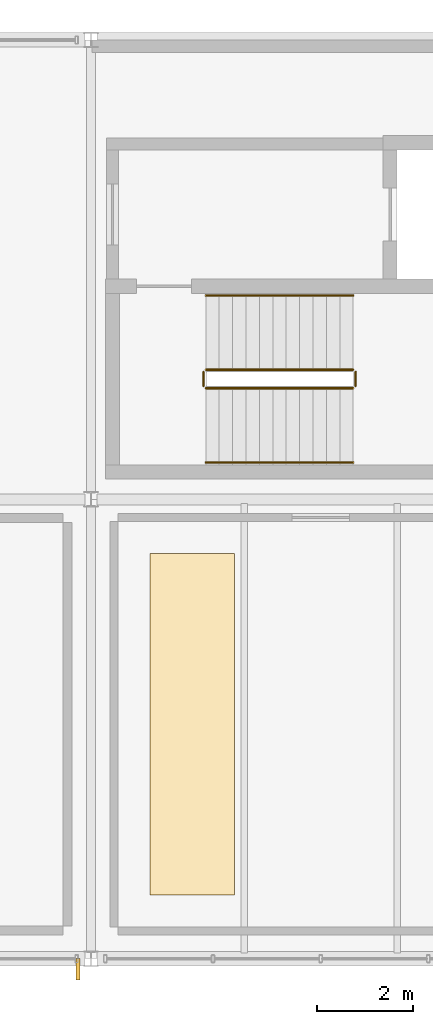
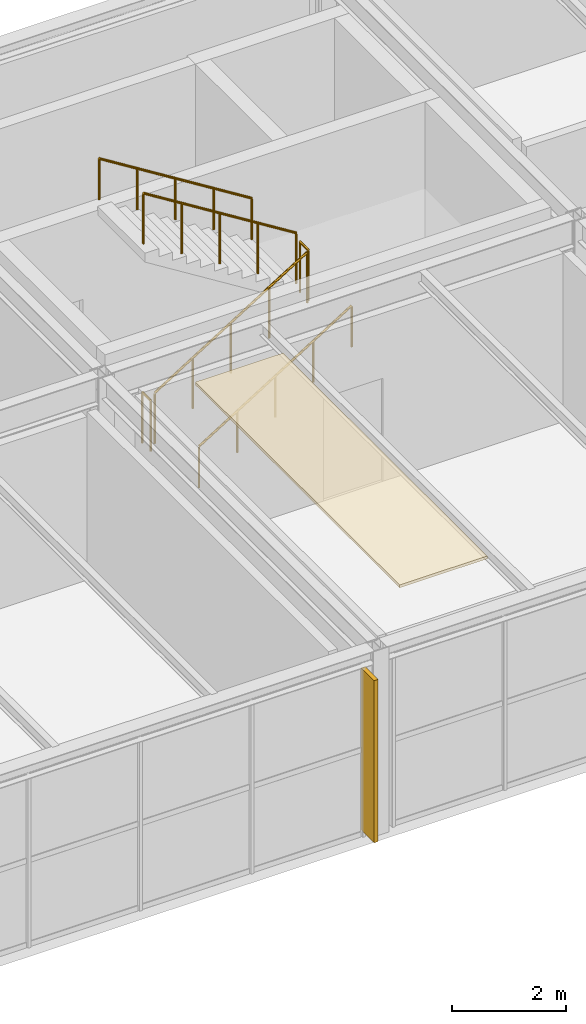
# One storey, part 48 of 50: 6 railings, 1 covering, 1 shading device.
"""IFC4 building model written with IfcOpenShell, lengths in metres."""

from ifc_helpers import new_model, si_unit, direction, frame, origin, origin_2d, place, context, subcontext, project, spatial, polyline, rectangle, circle, outline, extrude, material, layer, layer_set, type_object, element, save


model = new_model("IFC4")

# Units and contexts
model_context = context("Model", 3, precision=1e-05, world=origin(), true_north=direction((0.0, 1.0)))
body_context = subcontext(model_context, "Body", "Model", "MODEL_VIEW")
ifc_project = project(units=[si_unit("LENGTHUNIT", "METRE"), si_unit("AREAUNIT", "SQUARE_METRE"), si_unit("VOLUMEUNIT", "CUBIC_METRE"), si_unit("PLANEANGLEUNIT", "RADIAN"), si_unit("MASSUNIT", "GRAM", prefix="KILO")], contexts=[model_context])

# Site, building, storey
site_placement = place(None, origin())
site = spatial("IfcSite", under=ifc_project, at=site_placement, CompositionType="ELEMENT")
building_placement = place(site_placement, origin())
building = spatial("IfcBuilding", under=site, at=building_placement, Name="Coralgate Yard Interchange", CompositionType="ELEMENT")
storey_placement = place(building_placement, frame((0.0, 0.0, 14.699951171875)))
storey = spatial("IfcBuildingStorey", under=building, at=storey_placement, Name="L03", CompositionType="ELEMENT", Elevation=14.699951171875)

# Covering
ifc_material_1 = material(Name="Mineral-fibre acoustic baffle ceiling panel")
ifc_layer = layer(ifc_material_1, 0.06005859375)
ifc_layer_set = layer_set([ifc_layer], Name="Mineral-fibre acoustic baffle ceiling panel")
covering_type = type_object("IfcCoveringType", Name="COV-CEL2", PredefinedType="CEILING", material=ifc_layer_set)
covering_placement = place(storey_placement, frame((0.0, 0.0, 3.925048828125)))
element("IfcCovering", 1, at=covering_placement, inside=storey, type_object=covering_type, Name="Crew Uniform Issue and Equipment Store acoustic soffit panel", PredefinedType="CEILING", context=body_context, shape_type="SweptSolid", body=[
    extrude(outline(polyline([(49.22998046875, 1.330078125), (51.0, 1.330078125), (51.0, 8.469970703125), (49.22998046875, 8.469970703125), (49.22998046875, 1.330078125)])), origin(), (0.0, 0.0, 1.0), 0.06005859375),
])

# Railings
ifc_material_2 = material(Name="Grade 316 marine stainless steel and toughened glass balustrade", Category="steel")
railing_type_1 = type_object("IfcRailingType", Name="RLG-GD1100", PredefinedType="BALUSTRADE", material=ifc_material_2)
railing_1_placement = place(storey_placement, frame((50.39990234375, 11.919921875, 0.175048828125)))
element("IfcRailing", 2, at=railing_1_placement, inside=storey, type_object=railing_type_1, Name="L03 ST-02 stair guard 1", PredefinedType="BALUSTRADE", context=body_context, shape_type="SweptSolid", body=[
    extrude(circle(Radius=0.02392578125, at=origin_2d()), frame((0.0, 0.0, 1.076171875), z_axis=(0.847998304005, 0.0, 0.529998940003), x_axis=(0.0, 1.0, 0.0)), (0.0, 0.0, 1.0), 3.632080078125),
    extrude(circle(Radius=0.02099609375, at=origin_2d()), origin(), (0.0, 0.0, 1.0), 1.051513671875),
    extrude(circle(Radius=0.02099609375, at=origin_2d()), frame((0.77001953125, 0.0, 0.481201171875)), (0.0, 0.0, 1.0), 1.051513671875),
    extrude(circle(Radius=0.02099609375, at=origin_2d()), frame((1.5400390625, 0.0, 0.96240234375)), (0.0, 0.0, 1.0), 1.051513671875),
    extrude(circle(Radius=0.02099609375, at=origin_2d()), frame((2.31005859375, 0.0, 1.44384765625)), (0.0, 0.0, 1.0), 1.051513671875),
    extrude(circle(Radius=0.02099609375, at=origin_2d()), frame((3.080078125, 0.0, 1.925048828125)), (0.0, 0.0, 1.0), 1.051513671875),
])
railing_2_placement = place(storey_placement, frame((53.530029296875, 11.969970703125, 2.10009765625)))
element("IfcRailing", 3, at=railing_2_placement, inside=storey, type_object=railing_type_1, Name="L03 ST-02 stair guard 2", PredefinedType="BALUSTRADE", context=body_context, shape_type="SweptSolid", body=[
    extrude(circle(Radius=0.02392578125, at=origin_2d()), frame((0.0, 0.0, 1.076171875), z_axis=(0.0, 1.0, 0.0), x_axis=(-1.0, 0.0, 0.0)), (0.0, 0.0, 1.0), 0.2900390625),
    extrude(circle(Radius=0.02099609375, at=origin_2d()), origin(), (0.0, 0.0, 1.0), 1.051513671875),
    extrude(circle(Radius=0.02099609375, at=origin_2d()), frame((0.0, 0.2900390625, 0.0)), (0.0, 0.0, 1.0), 1.051513671875),
])
railing_3_placement = place(storey_placement, frame((53.47998046875, 12.31005859375, 2.275146484375)))
element("IfcRailing", 4, at=railing_3_placement, inside=storey, type_object=railing_type_1, Name="L03 ST-02 stair guard 3", PredefinedType="BALUSTRADE", context=body_context, shape_type="SweptSolid", body=[
    extrude(circle(Radius=0.02392578125, at=origin_2d()), frame((0.0, 0.0, 1.076171875), z_axis=(-0.848028513186, 0.0, 0.529950602248), x_axis=(0.0, -1.0, 0.0)), (0.0, 0.0, 1.0), 3.632080078125),
    extrude(circle(Radius=0.02099609375, at=origin_2d()), origin(), (0.0, 0.0, 1.0), 1.051513671875),
    extrude(circle(Radius=0.02099609375, at=origin_2d()), frame((-0.77001953125, 0.0, 0.481201171875)), (0.0, 0.0, 1.0), 1.051513671875),
    extrude(circle(Radius=0.02099609375, at=origin_2d()), frame((-1.5400390625, 0.0, 0.96240234375)), (0.0, 0.0, 1.0), 1.051513671875),
    extrude(circle(Radius=0.02099609375, at=origin_2d()), frame((-2.31005859375, 0.0, 1.443603515625)), (0.0, 0.0, 1.0), 1.051513671875),
    extrude(circle(Radius=0.02099609375, at=origin_2d()), frame((-3.080078125, 0.0, 1.9248046875)), (0.0, 0.0, 1.0), 1.051513671875),
])
railing_4_placement = place(storey_placement, frame((50.35009765625, 11.969970703125, 0.0)))
element("IfcRailing", 5, at=railing_4_placement, inside=storey, type_object=railing_type_1, Name="L03 ST-02 stair guard 4", PredefinedType="BALUSTRADE", context=body_context, shape_type="SweptSolid", body=[
    extrude(circle(Radius=0.02392578125, at=origin_2d()), frame((0.0, 0.0, 1.076171875), z_axis=(0.0, 1.0, 0.0), x_axis=(-1.0, 0.0, 0.0)), (0.0, 0.0, 1.0), 0.2900390625),
    extrude(circle(Radius=0.02099609375, at=origin_2d()), origin(), (0.0, 0.0, 1.0), 1.051513671875),
    extrude(circle(Radius=0.02099609375, at=origin_2d()), frame((0.0, 0.2900390625, 0.0)), (0.0, 0.0, 1.0), 1.051513671875),
])
ifc_material_3 = material(Name="Grade 316 marine stainless steel", Category="steel")
railing_type_2 = type_object("IfcRailingType", Name="RLG-HR900", PredefinedType="HANDRAIL", material=ifc_material_3)
railing_5_placement = place(storey_placement, frame((50.39990234375, 10.3701171875, 0.175048828125)))
element("IfcRailing", 6, at=railing_5_placement, inside=storey, type_object=railing_type_2, Name="L03 ST-02 stair handrail 1", PredefinedType="HANDRAIL", context=body_context, shape_type="SweptSolid", body=[
    extrude(circle(Radius=0.02392578125, at=origin_2d()), frame((0.0, 0.0, 0.8759765625), z_axis=(0.847998304005, 0.0, 0.529998940003), x_axis=(0.0, 1.0, 0.0)), (0.0, 0.0, 1.0), 3.632080078125),
    extrude(circle(Radius=0.02099609375, at=origin_2d()), origin(), (0.0, 0.0, 1.0), 0.851318359375),
    extrude(circle(Radius=0.02099609375, at=origin_2d()), frame((0.77001953125, 0.0, 0.481201171875)), (0.0, 0.0, 1.0), 0.851318359375),
    extrude(circle(Radius=0.02099609375, at=origin_2d()), frame((1.5400390625, 0.0, 0.96240234375)), (0.0, 0.0, 1.0), 0.851318359375),
    extrude(circle(Radius=0.02099609375, at=origin_2d()), frame((2.31005859375, 0.0, 1.44384765625)), (0.0, 0.0, 1.0), 0.851318359375),
    extrude(circle(Radius=0.02099609375, at=origin_2d()), frame((3.080078125, 0.0, 1.925048828125)), (0.0, 0.0, 1.0), 0.851318359375),
])
railing_6_placement = place(storey_placement, frame((53.47998046875, 13.860107421875, 2.275146484375)))
element("IfcRailing", 7, at=railing_6_placement, inside=storey, type_object=railing_type_2, Name="L03 ST-02 stair handrail 2", PredefinedType="HANDRAIL", context=body_context, shape_type="SweptSolid", body=[
    extrude(circle(Radius=0.02392578125, at=origin_2d()), frame((0.0, 0.0, 0.8759765625), z_axis=(-0.848028513186, 0.0, 0.529950602248), x_axis=(0.0, -1.0, 0.0)), (0.0, 0.0, 1.0), 3.632080078125),
    extrude(circle(Radius=0.02099609375, at=origin_2d()), origin(), (0.0, 0.0, 1.0), 0.851318359375),
    extrude(circle(Radius=0.02099609375, at=origin_2d()), frame((-0.77001953125, 0.0, 0.481201171875)), (0.0, 0.0, 1.0), 0.851318359375),
    extrude(circle(Radius=0.02099609375, at=origin_2d()), frame((-1.5400390625, 0.0, 0.96240234375)), (0.0, 0.0, 1.0), 0.851318359375),
    extrude(circle(Radius=0.02099609375, at=origin_2d()), frame((-2.31005859375, 0.0, 1.443603515625)), (0.0, 0.0, 1.0), 0.851318359375),
    extrude(circle(Radius=0.02099609375, at=origin_2d()), frame((-3.080078125, 0.0, 1.9248046875)), (0.0, 0.0, 1.0), 0.851318359375),
])

# Shading device
ifc_material_4 = material(Name="Anodised coastal aluminium vertical brise-soleil blade", Category="aluminium")
shading_device_type = type_object("IfcShadingDeviceType", Name="SHD-BS1", PredefinedType="SHUTTER", material=ifc_material_4)
shading_device_placement = place(storey_placement, frame((47.72998046875, -0.219970703125, 0.10009765625), z_axis=(0.0, 0.0, 1.0), x_axis=(-1.0, 0.0, 0.0)))
element("IfcShadingDevice", 8, at=shading_device_placement, inside=storey, type_object=shading_device_type, Name="L03 coastal aluminium brise-soleil fin S-4-0", PredefinedType="SHUTTER", context=body_context, shape_type="SweptSolid", body=[
    extrude(rectangle(XDim=0.080078125, YDim=0.449951171875, at=origin_2d()), origin(), (0.0, 0.0, 1.0), 3.4599609375),
])

save(model, "model.ifc")
